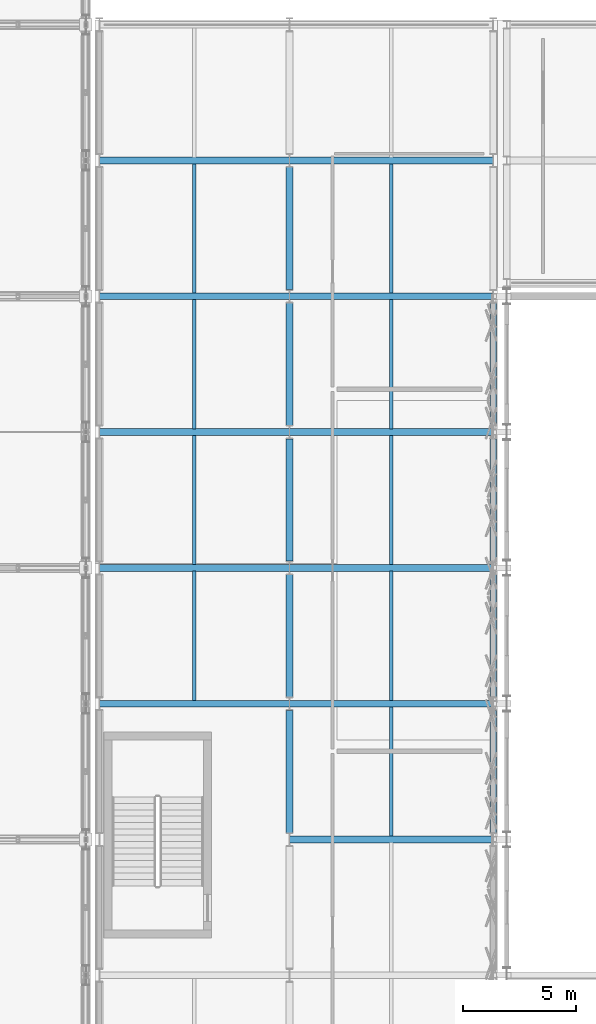
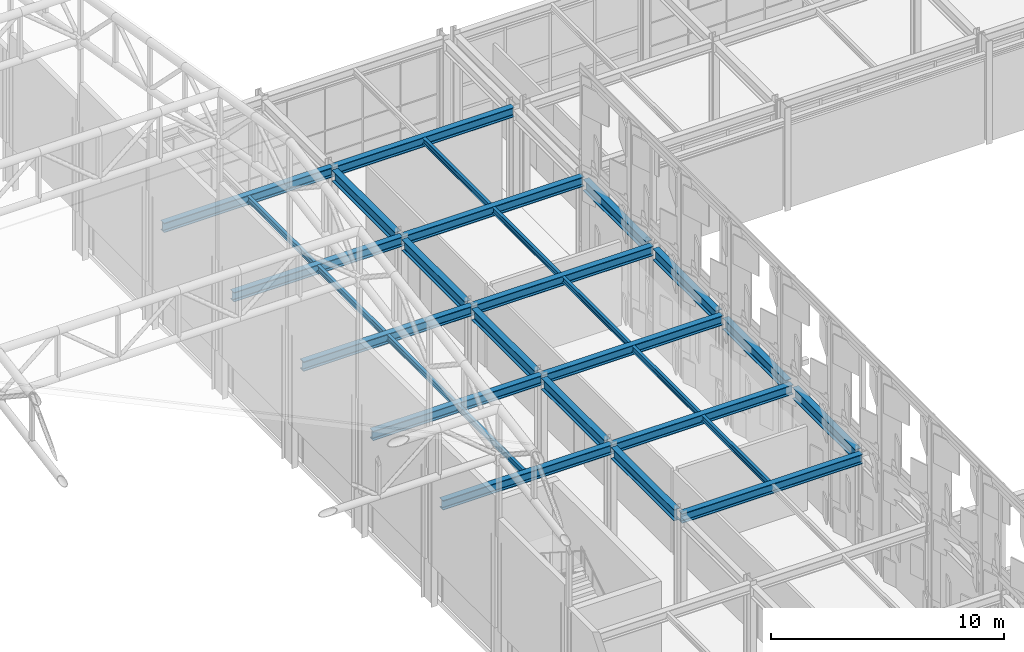
# One storey, part 166 of 239: 29 beams.
"""IFC4 building model written with IfcOpenShell, lengths in metres."""

from ifc_helpers import new_model, si_unit, direction, frame, origin, origin_2d, place, context, subcontext, project, spatial, i_section, extrude, material, material_profile, profile_set, type_object, element, save


model = new_model("IFC4")

# Units and contexts
model_context = context("Model", 3, precision=1e-05, world=origin(), true_north=direction((0.0, 1.0)))
body_context = subcontext(model_context, "Body", "Model", "MODEL_VIEW")
ifc_project = project(units=[si_unit("LENGTHUNIT", "METRE"), si_unit("AREAUNIT", "SQUARE_METRE"), si_unit("VOLUMEUNIT", "CUBIC_METRE"), si_unit("PLANEANGLEUNIT", "RADIAN"), si_unit("MASSUNIT", "GRAM", prefix="KILO")], contexts=[model_context])

# Site, building, storey
site_placement = place(None, origin())
site = spatial("IfcSite", under=ifc_project, at=site_placement, CompositionType="ELEMENT")
building_placement = place(site_placement, origin())
building = spatial("IfcBuilding", under=site, at=building_placement, Name="Kaldris Quays Convention Centre", CompositionType="ELEMENT")
storey_placement = place(building_placement, frame((0.0, 0.0, 11.39990234375)))
storey = spatial("IfcBuildingStorey", under=building, at=storey_placement, Name="L02", CompositionType="ELEMENT", Elevation=11.39990234375)

# Beams
ifc_material = material(Name="Steel S355J2", Category="steel")
ifc_material_profile_1 = material_profile(ifc_material, i_section(OverallWidth=0.300048828125, OverallDepth=0.5, WebThickness=0.014404296875, FlangeThickness=0.028076171875, FilletRadius=0.027099609375, at=origin_2d()), Name="HEB 500")
ifc_profile_set_1 = profile_set([ifc_material_profile_1], Name="Steel S355J2")
beam_type_1 = type_object("IfcBeamType", Name="STRUCTURAL BEAM BM06", PredefinedType="BEAM", material=ifc_profile_set_1)
beam_1_placement = place(storey_placement, frame((155.001708984375, 80.0, 4.9130859375), z_axis=(1.0, 0.0, 0.0), x_axis=(0.0, 1.0, 0.0)))
element("IfcBeam", 1, at=beam_1_placement, inside=storey, type_object=beam_type_1, Name="L02 Girder BM06 34", PredefinedType="BEAM", context=body_context, shape_type="SweptSolid", body=[
    extrude(i_section(OverallWidth=0.300048828125, OverallDepth=0.5, WebThickness=0.014404296875, FlangeThickness=0.028076171875, FilletRadius=0.027099609375, at=origin_2d()), origin(), (0.0, 0.0, 1.0), 8.99658203125),
])
beam_2_placement = place(storey_placement, frame((146.601806640625, 86.0, 4.9130859375), z_axis=(1.0, 0.0, 0.0), x_axis=(0.0, 1.0, 0.0)))
element("IfcBeam", 2, at=beam_2_placement, inside=storey, type_object=beam_type_1, Name="L02 Girder BM06 35", PredefinedType="BEAM", context=body_context, shape_type="SweptSolid", body=[
    extrude(i_section(OverallWidth=0.300048828125, OverallDepth=0.5, WebThickness=0.014404296875, FlangeThickness=0.028076171875, FilletRadius=0.027099609375, at=origin_2d()), origin(), (0.0, 0.0, 1.0), 8.396484375),
])
beam_3_placement = place(storey_placement, frame((155.001708984375, 86.0, 4.9130859375), z_axis=(1.0, 0.0, 0.0), x_axis=(0.0, 1.0, 0.0)))
element("IfcBeam", 3, at=beam_3_placement, inside=storey, type_object=beam_type_1, Name="L02 Girder BM06 36", PredefinedType="BEAM", context=body_context, shape_type="SweptSolid", body=[
    extrude(i_section(OverallWidth=0.300048828125, OverallDepth=0.5, WebThickness=0.014404296875, FlangeThickness=0.028076171875, FilletRadius=0.027099609375, at=origin_2d()), origin(), (0.0, 0.0, 1.0), 8.99658203125),
])
beam_4_placement = place(storey_placement, frame((146.601806640625, 92.0, 4.9130859375), z_axis=(1.0, 0.0, 0.0), x_axis=(0.0, 1.0, 0.0)))
element("IfcBeam", 4, at=beam_4_placement, inside=storey, type_object=beam_type_1, Name="L02 Girder BM06 37", PredefinedType="BEAM", context=body_context, shape_type="SweptSolid", body=[
    extrude(i_section(OverallWidth=0.300048828125, OverallDepth=0.5, WebThickness=0.014404296875, FlangeThickness=0.028076171875, FilletRadius=0.027099609375, at=origin_2d()), origin(), (0.0, 0.0, 1.0), 8.396484375),
])
beam_5_placement = place(storey_placement, frame((155.001708984375, 92.0, 4.9130859375), z_axis=(1.0, 0.0, 0.0), x_axis=(0.0, 1.0, 0.0)))
element("IfcBeam", 5, at=beam_5_placement, inside=storey, type_object=beam_type_1, Name="L02 Girder BM06 38", PredefinedType="BEAM", context=body_context, shape_type="SweptSolid", body=[
    extrude(i_section(OverallWidth=0.300048828125, OverallDepth=0.5, WebThickness=0.014404296875, FlangeThickness=0.028076171875, FilletRadius=0.027099609375, at=origin_2d()), origin(), (0.0, 0.0, 1.0), 8.99658203125),
])
beam_6_placement = place(storey_placement, frame((146.601806640625, 98.0, 4.9130859375), z_axis=(1.0, 0.0, 0.0), x_axis=(0.0, 1.0, 0.0)))
element("IfcBeam", 6, at=beam_6_placement, inside=storey, type_object=beam_type_1, Name="L02 Girder BM06 39", PredefinedType="BEAM", context=body_context, shape_type="SweptSolid", body=[
    extrude(i_section(OverallWidth=0.300048828125, OverallDepth=0.5, WebThickness=0.014404296875, FlangeThickness=0.028076171875, FilletRadius=0.027099609375, at=origin_2d()), origin(), (0.0, 0.0, 1.0), 8.396484375),
])
beam_7_placement = place(storey_placement, frame((155.001708984375, 98.0, 4.9130859375), z_axis=(1.0, 0.0, 0.0), x_axis=(0.0, 1.0, 0.0)))
element("IfcBeam", 7, at=beam_7_placement, inside=storey, type_object=beam_type_1, Name="L02 Girder BM06 40", PredefinedType="BEAM", context=body_context, shape_type="SweptSolid", body=[
    extrude(i_section(OverallWidth=0.300048828125, OverallDepth=0.5, WebThickness=0.014404296875, FlangeThickness=0.028076171875, FilletRadius=0.027099609375, at=origin_2d()), origin(), (0.0, 0.0, 1.0), 8.99658203125),
])
beam_8_placement = place(storey_placement, frame((146.601806640625, 104.0, 4.9130859375), z_axis=(1.0, 0.0, 0.0), x_axis=(0.0, 1.0, 0.0)))
element("IfcBeam", 8, at=beam_8_placement, inside=storey, type_object=beam_type_1, Name="L02 Girder BM06 41", PredefinedType="BEAM", context=body_context, shape_type="SweptSolid", body=[
    extrude(i_section(OverallWidth=0.300048828125, OverallDepth=0.5, WebThickness=0.014404296875, FlangeThickness=0.028076171875, FilletRadius=0.027099609375, at=origin_2d()), origin(), (0.0, 0.0, 1.0), 8.396484375),
])
beam_9_placement = place(storey_placement, frame((155.001708984375, 104.0, 4.9130859375), z_axis=(1.0, 0.0, 0.0), x_axis=(0.0, 1.0, 0.0)))
element("IfcBeam", 9, at=beam_9_placement, inside=storey, type_object=beam_type_1, Name="L02 Girder BM06 42", PredefinedType="BEAM", context=body_context, shape_type="SweptSolid", body=[
    extrude(i_section(OverallWidth=0.300048828125, OverallDepth=0.5, WebThickness=0.014404296875, FlangeThickness=0.028076171875, FilletRadius=0.027099609375, at=origin_2d()), origin(), (0.0, 0.0, 1.0), 8.99658203125),
])
beam_10_placement = place(storey_placement, frame((146.601806640625, 110.0, 4.9130859375), z_axis=(1.0, 0.0, 0.0), x_axis=(0.0, 1.0, 0.0)))
element("IfcBeam", 10, at=beam_10_placement, inside=storey, type_object=beam_type_1, Name="L02 Girder BM06 46", PredefinedType="BEAM", context=body_context, shape_type="SweptSolid", body=[
    extrude(i_section(OverallWidth=0.300048828125, OverallDepth=0.5, WebThickness=0.014404296875, FlangeThickness=0.028076171875, FilletRadius=0.027099609375, at=origin_2d()), origin(), (0.0, 0.0, 1.0), 8.396484375),
])
beam_11_placement = place(storey_placement, frame((155.001708984375, 110.0, 4.9130859375), z_axis=(1.0, 0.0, 0.0), x_axis=(0.0, 1.0, 0.0)))
element("IfcBeam", 11, at=beam_11_placement, inside=storey, type_object=beam_type_1, Name="L02 Girder BM06 47", PredefinedType="BEAM", context=body_context, shape_type="SweptSolid", body=[
    extrude(i_section(OverallWidth=0.300048828125, OverallDepth=0.5, WebThickness=0.014404296875, FlangeThickness=0.028076171875, FilletRadius=0.027099609375, at=origin_2d()), origin(), (0.0, 0.0, 1.0), 8.99658203125),
])
ifc_material_profile_2 = material_profile(ifc_material, i_section(OverallWidth=0.300048828125, OverallDepth=0.590087890625, WebThickness=0.012939453125, FlangeThickness=0.02490234375, FilletRadius=0.027099609375, at=origin_2d()), Name="HEA 600")
ifc_profile_set_2 = profile_set([ifc_material_profile_2], Name="Steel S355J2")
beam_type_2 = type_object("IfcBeamType", Name="STRUCTURAL BEAM BM08", PredefinedType="BEAM", material=ifc_profile_set_2)
for number, where, z_axis, x_axis, name in (
    (12, (155.0, 80.2939453125, 4.8681640625), (0.0, 1.0, 0.0), (-1.0, 0.0, 0.0), "L02 Girder BM08 84"),
    (13, (155.0, 86.2939453125, 4.8681640625), (0.0, 1.0, 0.0), (-1.0, 0.0, 0.0), "L02 Girder BM08 85"),
    (14, (155.0, 92.2939453125, 4.8681640625), (0.0, 1.0, 0.0), (-1.0, 0.0, 0.0), "L02 Girder BM08 86"),
    (15, (155.0, 98.2939453125, 4.8681640625), (0.0, 1.0, 0.0), (-1.0, 0.0, 0.0), "L02 Girder BM08 87"),
    (16, (155.0, 104.2939453125, 4.8681640625), (0.0, 1.0, 0.0), (-1.0, 0.0, 0.0), "L02 Girder BM08 88"),
    (17, (164.0, 80.2939453125, 4.8681640625), (0.0, 1.0, 0.0), (-1.0, 0.0, 0.0), "L02 Girder BM08 96"),
    (18, (164.0, 86.2939453125, 4.8681640625), (0.0, 1.0, 0.0), (-1.0, 0.0, 0.0), "L02 Girder BM08 97"),
    (19, (164.0, 92.2939453125, 4.8681640625), (0.0, 1.0, 0.0), (-1.0, 0.0, 0.0), "L02 Girder BM08 98"),
    (20, (164.0, 98.2939453125, 4.8681640625), (0.0, 1.0, 0.0), (-1.0, 0.0, 0.0), "L02 Girder BM08 99"),
):
    element("IfcBeam", number, at=place(storey_placement, frame(where, z_axis=z_axis, x_axis=x_axis)), inside=storey, type_object=beam_type_2, Name=name, PredefinedType="BEAM", context=body_context, shape_type="SweptSolid", body=[
        extrude(i_section(OverallWidth=0.300048828125, OverallDepth=0.590087890625, WebThickness=0.012939453125, FlangeThickness=0.02490234375, FilletRadius=0.027099609375, at=origin_2d()), origin(), (0.0, 0.0, 1.0), 5.412109375),
    ])
ifc_material_profile_3 = material_profile(ifc_material, i_section(OverallWidth=0.14990234375, OverallDepth=0.300048828125, WebThickness=0.007080078125, FlangeThickness=0.0107421875, FilletRadius=0.014892578125, at=origin_2d()), Name="IPE 300")
ifc_profile_set_3 = profile_set([ifc_material_profile_3], Name="Steel S355J2")
beam_type_3 = type_object("IfcBeamType", Name="STRUCTURAL BEAM JT04", PredefinedType="JOIST", material=ifc_profile_set_3)
for number, where, z_axis, x_axis, name in (
    (21, (159.5, 80.14404296875, 5.01318359375), (0.0, 1.0, 0.0), (-1.0, 0.0, 0.0), "L02 Secondary Joist JT04 19"),
    (22, (150.800048828125, 86.14404296875, 5.01318359375), (0.0, 1.0, 0.0), (-1.0, 0.0, 0.0), "L02 Secondary Joist JT04 20"),
    (23, (159.5, 86.14404296875, 5.01318359375), (0.0, 1.0, 0.0), (-1.0, 0.0, 0.0), "L02 Secondary Joist JT04 21"),
    (24, (150.800048828125, 92.14404296875, 5.01318359375), (0.0, 1.0, 0.0), (-1.0, 0.0, 0.0), "L02 Secondary Joist JT04 22"),
    (25, (159.5, 92.14404296875, 5.01318359375), (0.0, 1.0, 0.0), (-1.0, 0.0, 0.0), "L02 Secondary Joist JT04 23"),
    (26, (150.800048828125, 98.14404296875, 5.01318359375), (0.0, 1.0, 0.0), (-1.0, 0.0, 0.0), "L02 Secondary Joist JT04 24"),
    (27, (159.5, 98.14404296875, 5.01318359375), (0.0, 1.0, 0.0), (-1.0, 0.0, 0.0), "L02 Secondary Joist JT04 25"),
    (28, (150.800048828125, 104.14404296875, 5.01318359375), (0.0, 1.0, 0.0), (-1.0, 0.0, 0.0), "L02 Secondary Joist JT04 26"),
    (29, (159.5, 104.14404296875, 5.01318359375), (0.0, 1.0, 0.0), (-1.0, 0.0, 0.0), "L02 Secondary Joist JT04 27"),
):
    element("IfcBeam", number, at=place(storey_placement, frame(where, z_axis=z_axis, x_axis=x_axis)), inside=storey, type_object=beam_type_3, Name=name, PredefinedType="JOIST", context=body_context, shape_type="SweptSolid", body=[
        extrude(i_section(OverallWidth=0.14990234375, OverallDepth=0.300048828125, WebThickness=0.007080078125, FlangeThickness=0.0107421875, FilletRadius=0.014892578125, at=origin_2d()), origin(), (0.0, 0.0, 1.0), 5.7119140625),
    ])

save(model, "model.ifc")
